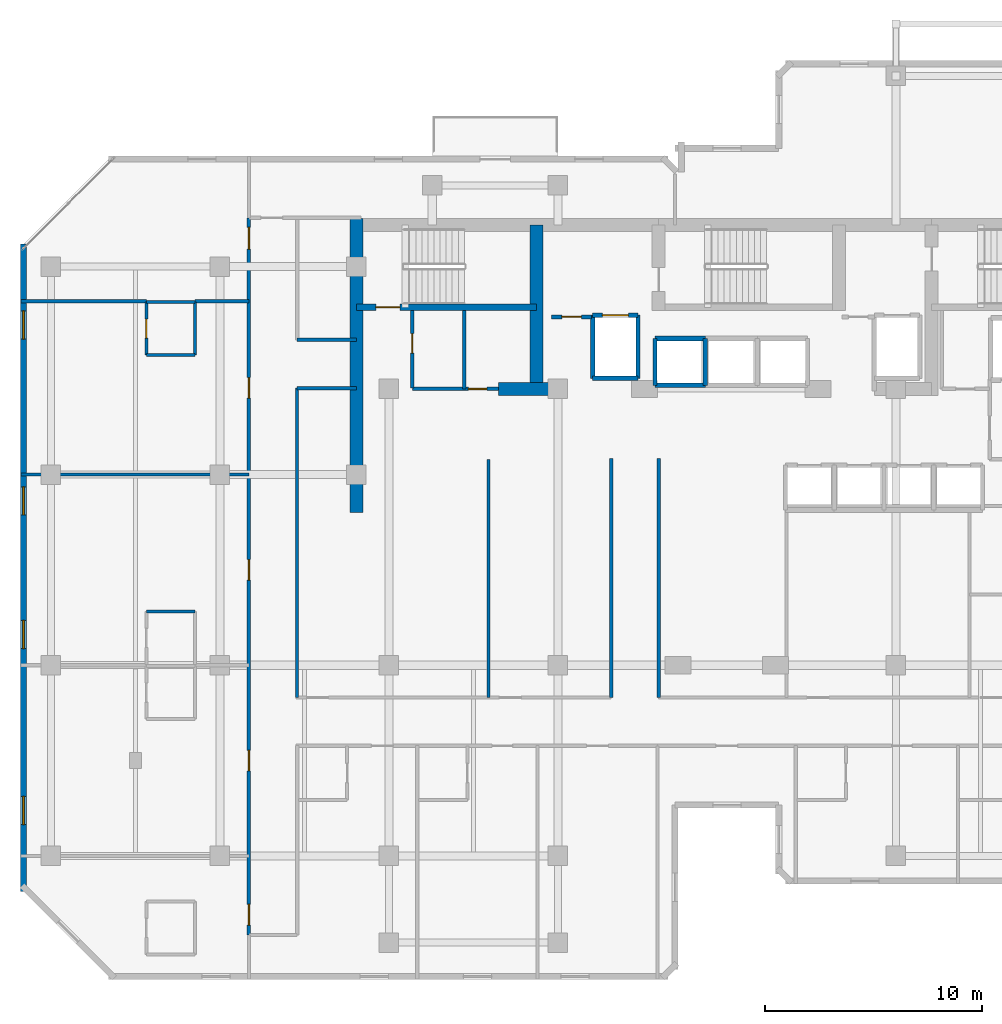
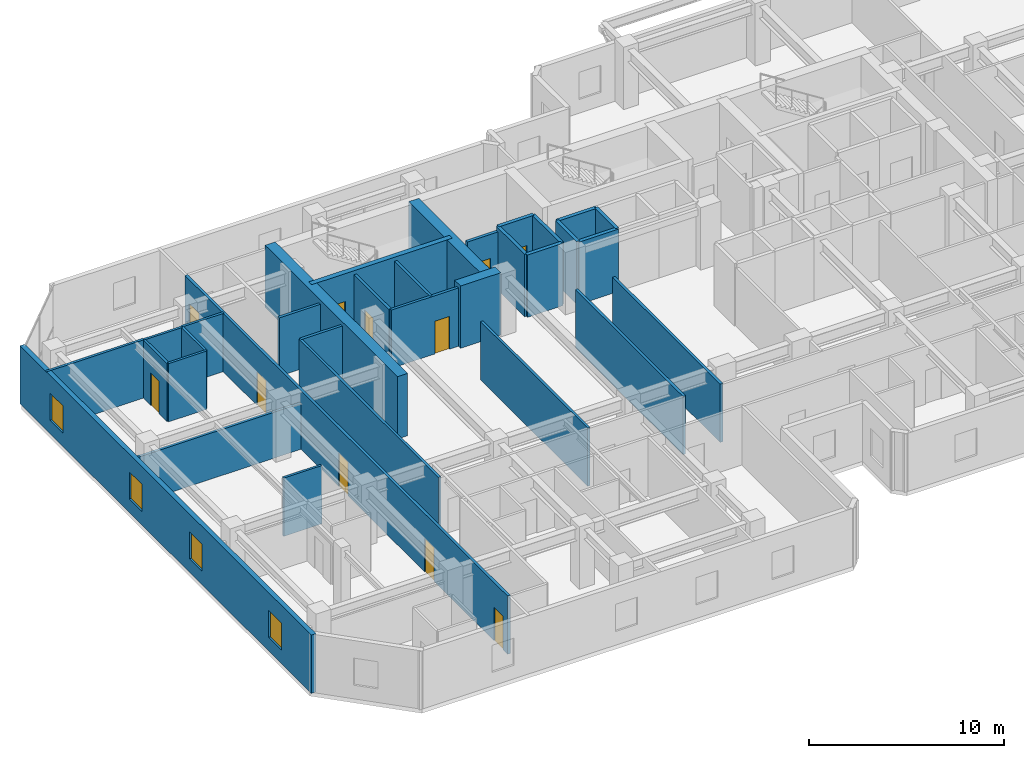
# One storey, part 5 of 10: 32 walls, 11 doors, 4 windows, 15 openings.
"""IFC4 building model written with IfcOpenShell, lengths in metres."""

from ifc_helpers import new_model, si_unit, direction, frame, frame_2d, origin, place, context, subcontext, project, spatial, rectangle, extrude, material, layer, layer_set, type_object, element, fill, save


model = new_model("IFC4")

# Units and contexts
model_context = context("Model", 3, precision=1e-05, world=origin(), true_north=direction((0.0, 1.0)))
body_context = subcontext(model_context, "Body", "Model", "MODEL_VIEW")
ifc_project = project(units=[si_unit("LENGTHUNIT", "METRE"), si_unit("AREAUNIT", "SQUARE_METRE"), si_unit("VOLUMEUNIT", "CUBIC_METRE"), si_unit("PLANEANGLEUNIT", "RADIAN"), si_unit("MASSUNIT", "GRAM", prefix="KILO")], contexts=[model_context])

# Site, building, storey
site_placement = place(None, origin())
site = spatial("IfcSite", under=ifc_project, at=site_placement, CompositionType="ELEMENT")
building_placement = place(site_placement, origin())
building = spatial("IfcBuilding", under=site, at=building_placement, Name="Kestravale Grand Hotel", CompositionType="ELEMENT")
storey_placement = place(building_placement, frame((0.0, 0.0, 216.300048828125)))
storey = spatial("IfcBuildingStorey", under=building, at=storey_placement, Name="L54", CompositionType="ELEMENT", Elevation=216.300048828125)

# Walls
ifc_material_1 = material(Name="Concrete f'c 50 MPa", Category="concrete")
ifc_layer_1 = layer(ifc_material_1, 0.60009765625)
ifc_layer_set_1 = layer_set([ifc_layer_1], Name="EW-CORE-600")
wall_type_1 = type_object("IfcWallType", Name="EW-CORE-600", PredefinedType="SHEAR", material=ifc_layer_set_1)
wall_1_placement = place(storey_placement, frame((21.89990234375, 27.050048828125, 0.0), z_axis=(0.0, 0.0, 1.0), x_axis=(0.0, 1.0, 0.0)))
element("IfcWall", 1, at=wall_1_placement, inside=storey, type_object=wall_type_1, Name="L54 core shear wall W1", PredefinedType="SHEAR", context=body_context, shape_type="SweptSolid", body=[
    extrude(rectangle(XDim=13.570068359375, YDim=0.60009765625, at=frame_2d((6.78515625, 0.0))), origin(), (0.0, 0.0, 1.0), 3.89990234375),
])
wall_2_placement = place(storey_placement, frame((28.449951171875, 32.75, 0.0), z_axis=(0.0, 0.0, 1.0), x_axis=(1.0, 0.0, 0.0)))
element("IfcWall", 2, at=wall_2_placement, inside=storey, type_object=wall_type_1, Name="L54 core shear wall S1", PredefinedType="SHEAR", context=body_context, shape_type="SweptSolid", body=[
    extrude(rectangle(XDim=2.400146484375, YDim=0.60009765625, at=frame_2d((1.2001953125, 0.0))), origin(), (0.0, 0.0, 1.0), 3.89990234375),
])
wall_3_placement = place(storey_placement, frame((30.219970703125, 33.050048828125, 0.0), z_axis=(0.0, 0.0, 1.0), x_axis=(0.0, 1.0, 0.0)))
element("IfcWall", 3, at=wall_3_placement, inside=storey, type_object=wall_type_1, Name="L54 core shear wall X1", PredefinedType="SHEAR", context=body_context, shape_type="SweptSolid", body=[
    extrude(rectangle(XDim=7.27001953125, YDim=0.60009765625, at=frame_2d((3.635009765625, 0.0))), origin(), (0.0, 0.0, 1.0), 3.89990234375),
])

# Wall, openings, windows
ifc_material_2 = material(Name="Precast concrete f'c 45 MPa", Category="concrete")
ifc_layer_2 = layer(ifc_material_2, 0.280029296875)
ifc_layer_set_2 = layer_set([ifc_layer_2], Name="EW-PREC-280")
wall_type_2 = type_object("IfcWallType", Name="EW-PREC-280", PredefinedType="SOLIDWALL", material=ifc_layer_set_2)
wall_4_placement = place(storey_placement, frame((6.5400390625, 39.43994140625, 0.0), z_axis=(0.0, 0.0, 1.0), x_axis=(0.0, -1.0, 0.0)))
wall_4 = element("IfcWall", 4, at=wall_4_placement, inside=storey, type_object=wall_type_2, Name="L54 fluted precast facade wall 19", PredefinedType="SOLIDWALL", context=body_context, shape_type="SweptSolid", body=[
    extrude(rectangle(XDim=29.8798828125, YDim=0.280029296875, at=frame_2d((14.93994140625, 0.0))), origin(), (0.0, 0.0, 1.0), 3.64990234375),
])
opening_1_placement = place(wall_4_placement, frame((3.0849609375, 0.0, 0.85009765625)))
opening_1 = element("IfcOpeningElement", 5, at=opening_1_placement, cuts=wall_4, Name="Opening W-GUEST-1300", PredefinedType="OPENING", context=body_context, shape_type="SweptSolid", body=[
    extrude(rectangle(XDim=1.300048828125, YDim=1.699951171875, at=frame_2d((0.64990234375, 0.85009765625))), frame((0.0, 0.14990234375, 0.0), z_axis=(0.0, -1.0, 0.0), x_axis=(1.0, 0.0, 0.0)), (0.0, 0.0, 1.0), 0.300048828125),
])
opening_2_placement = place(wall_4_placement, frame((11.205078125, 0.0, 0.85009765625)))
opening_2 = element("IfcOpeningElement", 6, at=opening_2_placement, cuts=wall_4, Name="Opening W-GUEST-1300", PredefinedType="OPENING", context=body_context, shape_type="SweptSolid", body=[
    extrude(rectangle(XDim=1.300048828125, YDim=1.699951171875, at=frame_2d((0.64990234375, 0.85009765625))), frame((0.0, 0.14990234375, 0.0), z_axis=(0.0, -1.0, 0.0), x_axis=(1.0, 0.0, 0.0)), (0.0, 0.0, 1.0), 0.300048828125),
])
opening_3_placement = place(wall_4_placement, frame((17.375, 0.0, 0.85009765625)))
opening_3 = element("IfcOpeningElement", 7, at=opening_3_placement, cuts=wall_4, Name="Opening W-GUEST-1300", PredefinedType="OPENING", context=body_context, shape_type="SweptSolid", body=[
    extrude(rectangle(XDim=1.300048828125, YDim=1.699951171875, at=frame_2d((0.64990234375, 0.85009765625))), frame((0.0, 0.14990234375, 0.0), z_axis=(0.0, -1.0, 0.0), x_axis=(1.0, 0.0, 0.0)), (0.0, 0.0, 1.0), 0.300048828125),
])
opening_4_placement = place(wall_4_placement, frame((25.4951171875, 0.0, 0.85009765625)))
opening_4 = element("IfcOpeningElement", 8, at=opening_4_placement, cuts=wall_4, Name="Opening W-GUEST-1300", PredefinedType="OPENING", context=body_context, shape_type="SweptSolid", body=[
    extrude(rectangle(XDim=1.300048828125, YDim=1.699951171875, at=frame_2d((0.64990234375, 0.85009765625))), frame((0.0, 0.14990234375, 0.0), z_axis=(0.0, -1.0, 0.0), x_axis=(1.0, 0.0, 0.0)), (0.0, 0.0, 1.0), 0.300048828125),
])
ifc_material_3 = material(Name="Insulated low-E double glazing in aluminium frame", Category="aluminium")
window_type = type_object("IfcWindowType", Name="W-GUEST-1300", PartitioningType="SINGLE_PANEL", PredefinedType="WINDOW", material=ifc_material_3)
window_1_placement = place(opening_1_placement, origin())
window_1 = element("IfcWindow", 9, at=window_1_placement, inside=storey, type_object=window_type, Name="L54 exterior window 19.1", OverallHeight=1.699951171875, OverallWidth=1.300048828125, PartitioningType="SINGLE_PANEL", PredefinedType="WINDOW", context=body_context, shape_type="SweptSolid", body=[
    extrude(rectangle(XDim=1.300048828125, YDim=1.699951171875, at=frame_2d((0.64990234375, 0.85009765625))), frame((0.0, 0.030029296875, 0.0), z_axis=(0.0, -1.0, 0.0), x_axis=(1.0, 0.0, 0.0)), (0.0, 0.0, 1.0), 0.06005859375),
])
fill(opening_1, window_1)
window_2_placement = place(opening_2_placement, origin())
window_2 = element("IfcWindow", 10, at=window_2_placement, inside=storey, type_object=window_type, Name="L54 exterior window 19.2", OverallHeight=1.699951171875, OverallWidth=1.300048828125, PartitioningType="SINGLE_PANEL", PredefinedType="WINDOW", context=body_context, shape_type="SweptSolid", body=[
    extrude(rectangle(XDim=1.300048828125, YDim=1.699951171875, at=frame_2d((0.64990234375, 0.85009765625))), frame((0.0, 0.030029296875, 0.0), z_axis=(0.0, -1.0, 0.0), x_axis=(1.0, 0.0, 0.0)), (0.0, 0.0, 1.0), 0.06005859375),
])
fill(opening_2, window_2)
window_3_placement = place(opening_3_placement, origin())
window_3 = element("IfcWindow", 11, at=window_3_placement, inside=storey, type_object=window_type, Name="L54 exterior window 19.3", OverallHeight=1.699951171875, OverallWidth=1.300048828125, PartitioningType="SINGLE_PANEL", PredefinedType="WINDOW", context=body_context, shape_type="SweptSolid", body=[
    extrude(rectangle(XDim=1.300048828125, YDim=1.699951171875, at=frame_2d((0.64990234375, 0.85009765625))), frame((0.0, 0.030029296875, 0.0), z_axis=(0.0, -1.0, 0.0), x_axis=(1.0, 0.0, 0.0)), (0.0, 0.0, 1.0), 0.06005859375),
])
fill(opening_3, window_3)
window_4_placement = place(opening_4_placement, origin())
window_4 = element("IfcWindow", 12, at=window_4_placement, inside=storey, type_object=window_type, Name="L54 exterior window 19.4", OverallHeight=1.699951171875, OverallWidth=1.300048828125, PartitioningType="SINGLE_PANEL", PredefinedType="WINDOW", context=body_context, shape_type="SweptSolid", body=[
    extrude(rectangle(XDim=1.300048828125, YDim=1.699951171875, at=frame_2d((0.64990234375, 0.85009765625))), frame((0.0, 0.030029296875, 0.0), z_axis=(0.0, -1.0, 0.0), x_axis=(1.0, 0.0, 0.0)), (0.0, 0.0, 1.0), 0.06005859375),
])
fill(opening_4, window_4)

# Wall, opening, door
ifc_material_4 = material(Name="Concrete f'c 45 MPa", Category="concrete")
ifc_layer_3 = layer(ifc_material_4, 0.300048828125)
ifc_layer_set_3 = layer_set([ifc_layer_3], Name="EW-STAIR-300")
wall_type_3 = type_object("IfcWallType", Name="EW-STAIR-300", PredefinedType="SHEAR", material=ifc_layer_set_3)
wall_5_placement = place(storey_placement, frame((21.89990234375, 36.52001953125, 0.0), z_axis=(0.0, 0.0, 1.0), x_axis=(1.0, 0.0, 0.0)))
wall_5 = element("IfcWall", 13, at=wall_5_placement, inside=storey, type_object=wall_type_3, Name="L54 stair enclosure shear wall SST1", PredefinedType="SHEAR", context=body_context, shape_type="SweptSolid", body=[
    extrude(rectangle(XDim=8.320068359375, YDim=0.300048828125, at=frame_2d((4.16015625, 0.0))), origin(), (0.0, 0.0, 1.0), 3.89990234375),
])
opening_5_placement = place(wall_5_placement, frame((0.89990234375, 0.0, 0.0)))
opening_5 = element("IfcOpeningElement", 14, at=opening_5_placement, cuts=wall_5, Name="Opening D-ST-1100", PredefinedType="OPENING", context=body_context, shape_type="SweptSolid", body=[
    extrude(rectangle(XDim=1.10009765625, YDim=2.14990234375, at=frame_2d((0.550048828125, 1.074951171875))), frame((0.0, 0.159912109375, 0.0), z_axis=(0.0, -1.0, 0.0), x_axis=(1.0, 0.0, 0.0)), (0.0, 0.0, 1.0), 0.320068359375),
])
ifc_material_5 = material(Name="Galvanised 90-minute fire-rated steel stair door", Category="steel")
door_type_1 = type_object("IfcDoorType", Name="D-ST-1100", OperationType="NOTDEFINED", PredefinedType="DOOR", material=ifc_material_5)
door_1_placement = place(opening_5_placement, origin())
door_1 = element("IfcDoor", 15, at=door_1_placement, inside=storey, type_object=door_type_1, Name="L54 Stair ST-1 fire door", OperationType="SINGLE_SWING_RIGHT", OverallHeight=2.14990234375, OverallWidth=1.10009765625, PredefinedType="DOOR", context=body_context, shape_type="SweptSolid", body=[
    extrude(rectangle(XDim=1.10009765625, YDim=2.14990234375, at=frame_2d((0.550048828125, 1.074951171875))), frame((0.0, 0.02490234375, 0.0), z_axis=(0.0, -1.0, 0.0), x_axis=(1.0, 0.0, 0.0)), (0.0, 0.0, 1.0), 0.050048828125),
])
fill(opening_5, door_1)

ifc_material_6 = material(Name="Acoustic fire-rated gypsum board partition", Category="other")
ifc_layer_4 = layer(ifc_material_6, 0.159912109375)
ifc_layer_set_4 = layer_set([ifc_layer_4], Name="IW-CORR-160")
wall_type_4 = type_object("IfcWallType", Name="IW-CORR-160", PredefinedType="PARTITIONING", material=ifc_layer_set_4)
wall_6_placement = place(storey_placement, frame((24.47998046875, 32.800048828125, 0.0), z_axis=(0.0, 0.0, 1.0), x_axis=(0.0, 1.0, 0.0)))
wall_6 = element("IfcWall", 16, at=wall_6_placement, inside=storey, type_object=wall_type_4, Name="L54 west core vestibule wall", PredefinedType="PARTITIONING", context=body_context, shape_type="SweptSolid", body=[
    extrude(rectangle(XDim=3.570068359375, YDim=0.159912109375, at=frame_2d((1.78515625, 0.0))), origin(), (0.0, 0.0, 1.0), 3.64990234375),
])
opening_6_placement = place(wall_6_placement, frame((1.603515625, 0.0, 0.0)))
opening_6 = element("IfcOpeningElement", 17, at=opening_6_placement, cuts=wall_6, Name="Opening D-SH-900", PredefinedType="OPENING", context=body_context, shape_type="SweptSolid", body=[
    extrude(rectangle(XDim=0.89990234375, YDim=2.10009765625, at=frame_2d((0.449951171875, 1.050048828125))), frame((0.0, 0.08984375, 0.0), z_axis=(0.0, -1.0, 0.0), x_axis=(1.0, 0.0, 0.0)), (0.0, 0.0, 1.0), 0.179931640625),
])
ifc_material_7 = material(Name="Galvanised 90-minute shaft and service fire door", Category="steel")
door_type_2 = type_object("IfcDoorType", Name="D-SH-900", OperationType="NOTDEFINED", PredefinedType="DOOR", material=ifc_material_7)
door_2_placement = place(opening_6_placement, origin())
door_2 = element("IfcDoor", 18, at=door_2_placement, inside=storey, type_object=door_type_2, Name="D-L54-HK", OperationType="SINGLE_SWING_RIGHT", OverallHeight=2.10009765625, OverallWidth=0.89990234375, PredefinedType="DOOR", context=body_context, shape_type="SweptSolid", body=[
    extrude(rectangle(XDim=0.89990234375, YDim=2.10009765625, at=frame_2d((0.449951171875, 1.050048828125))), frame((0.0, 0.02490234375, 0.0), z_axis=(0.0, -1.0, 0.0), x_axis=(1.0, 0.0, 0.0)), (0.0, 0.0, 1.0), 0.050048828125),
])
fill(opening_6, door_2)

wall_7_placement = place(storey_placement, frame((24.47998046875, 32.75, 0.0), z_axis=(0.0, 0.0, 1.0), x_axis=(1.0, 0.0, 0.0)))
wall_7 = element("IfcWall", 19, at=wall_7_placement, inside=storey, type_object=wall_type_4, Name="W-L54-CWS", PredefinedType="PARTITIONING", context=body_context, shape_type="SweptSolid", body=[
    extrude(rectangle(XDim=3.969970703125, YDim=0.159912109375, at=frame_2d((1.98486328125, 0.0))), origin(), (0.0, 0.0, 1.0), 3.64990234375),
])
opening_7_placement = place(wall_7_placement, frame((2.5849609375, 0.0, 0.0)))
opening_7 = element("IfcOpeningElement", 20, at=opening_7_placement, cuts=wall_7, Name="Opening D-SH-860", PredefinedType="OPENING", context=body_context, shape_type="SweptSolid", body=[
    extrude(rectangle(XDim=0.860107421875, YDim=2.050048828125, at=frame_2d((0.43017578125, 1.02490234375))), frame((0.0, 0.08984375, 0.0), z_axis=(0.0, -1.0, 0.0), x_axis=(1.0, 0.0, 0.0)), (0.0, 0.0, 1.0), 0.179931640625),
])
ifc_material_8 = material(Name="Galvanised 90-minute riser fire door", Category="steel")
door_type_3 = type_object("IfcDoorType", Name="D-SH-860", OperationType="NOTDEFINED", PredefinedType="DOOR", material=ifc_material_8)
door_3_placement = place(opening_7_placement, origin())
door_3 = element("IfcDoor", 21, at=door_3_placement, inside=storey, type_object=door_type_3, Name="D-L54-ELEC", OperationType="SINGLE_SWING_RIGHT", OverallHeight=2.050048828125, OverallWidth=0.860107421875, PredefinedType="DOOR", context=body_context, shape_type="SweptSolid", body=[
    extrude(rectangle(XDim=0.860107421875, YDim=2.050048828125, at=frame_2d((0.43017578125, 1.02490234375))), frame((0.0, 0.02490234375, 0.0), z_axis=(0.0, -1.0, 0.0), x_axis=(1.0, 0.0, 0.0)), (0.0, 0.0, 1.0), 0.050048828125),
])
fill(opening_7, door_3)

# Walls
for number, where, z_axis, x_axis, name in (
    (22, (33.64990234375, 18.510009765625, 0.0), (0.0, 0.0, 1.0), (0.0, 1.0, 0.0), "W-L54-TRUNK-W"),
    (23, (35.85009765625, 18.510009765625, 0.0), (0.0, 0.0, 1.0), (0.0, 1.0, 0.0), "W-L54-TRUNK-E"),
):
    element("IfcWall", number, at=place(storey_placement, frame(where, z_axis=z_axis, x_axis=x_axis)), inside=storey, type_object=wall_type_4, Name=name, PredefinedType="PARTITIONING", context=body_context, shape_type="SweptSolid", body=[
        extrude(rectangle(XDim=11.0400390625, YDim=0.159912109375, at=frame_2d((5.52001953125, 0.0))), origin(), (0.0, 0.0, 1.0), 3.64990234375),
    ])

# Wall, openings, doors
wall_8_placement = place(storey_placement, frame((16.93994140625, 7.550048828125, 0.0), z_axis=(0.0, 0.0, 1.0), x_axis=(0.0, 1.0, 0.0)))
wall_8 = element("IfcWall", 24, at=wall_8_placement, inside=storey, type_object=wall_type_4, Name="W-L54-SW-W", PredefinedType="PARTITIONING", context=body_context, shape_type="SweptSolid", body=[
    extrude(rectangle(XDim=33.099853515625, YDim=0.159912109375, at=frame_2d((16.5498046875, 0.0))), origin(), (0.0, 0.0, 1.0), 3.64990234375),
])
opening_8_placement = place(wall_8_placement, frame((0.4599609375, 0.0, 0.0)))
opening_8 = element("IfcOpeningElement", 25, at=opening_8_placement, cuts=wall_8, Name="Opening D-GUEST-950", PredefinedType="OPENING", context=body_context, shape_type="SweptSolid", body=[
    extrude(rectangle(XDim=0.949951171875, YDim=2.10009765625, at=frame_2d((0.47509765625, 1.050048828125))), frame((0.0, 0.08984375, 0.0), z_axis=(0.0, -1.0, 0.0), x_axis=(1.0, 0.0, 0.0)), (0.0, 0.0, 1.0), 0.179931640625),
])
opening_9_placement = place(wall_8_placement, frame((7.574951171875, 0.0, 0.0)))
opening_9 = element("IfcOpeningElement", 26, at=opening_9_placement, cuts=wall_8, Name="Opening D-GUEST-950", PredefinedType="OPENING", context=body_context, shape_type="SweptSolid", body=[
    extrude(rectangle(XDim=0.949951171875, YDim=2.10009765625, at=frame_2d((0.47509765625, 1.050048828125))), frame((0.0, 0.08984375, 0.0), z_axis=(0.0, -1.0, 0.0), x_axis=(1.0, 0.0, 0.0)), (0.0, 0.0, 1.0), 0.179931640625),
])
opening_10_placement = place(wall_8_placement, frame((16.375, 0.0, 0.0)))
opening_10 = element("IfcOpeningElement", 27, at=opening_10_placement, cuts=wall_8, Name="Opening D-GUEST-950", PredefinedType="OPENING", context=body_context, shape_type="SweptSolid", body=[
    extrude(rectangle(XDim=0.949951171875, YDim=2.10009765625, at=frame_2d((0.47509765625, 1.050048828125))), frame((0.0, 0.08984375, 0.0), z_axis=(0.0, -1.0, 0.0), x_axis=(1.0, 0.0, 0.0)), (0.0, 0.0, 1.0), 0.179931640625),
])
opening_11_placement = place(wall_8_placement, frame((24.77490234375, 0.0, 0.0)))
opening_11 = element("IfcOpeningElement", 28, at=opening_11_placement, cuts=wall_8, Name="Opening D-GUEST-950", PredefinedType="OPENING", context=body_context, shape_type="SweptSolid", body=[
    extrude(rectangle(XDim=0.949951171875, YDim=2.10009765625, at=frame_2d((0.47509765625, 1.050048828125))), frame((0.0, 0.08984375, 0.0), z_axis=(0.0, -1.0, 0.0), x_axis=(1.0, 0.0, 0.0)), (0.0, 0.0, 1.0), 0.179931640625),
])
opening_12_placement = place(wall_8_placement, frame((31.659912109375, 0.0, 0.0)))
opening_12 = element("IfcOpeningElement", 29, at=opening_12_placement, cuts=wall_8, Name="Opening D-GUEST-1000", PredefinedType="OPENING", context=body_context, shape_type="SweptSolid", body=[
    extrude(rectangle(XDim=1.0, YDim=2.14990234375, at=frame_2d((0.5, 1.074951171875))), frame((0.0, 0.08984375, 0.0), z_axis=(0.0, -1.0, 0.0), x_axis=(1.0, 0.0, 0.0)), (0.0, 0.0, 1.0), 0.179931640625),
])
ifc_material_9 = material(Name="Accessible walnut veneer hotel entrance fire door", Category="wood")
door_type_4 = type_object("IfcDoorType", Name="D-GUEST-1000", OperationType="NOTDEFINED", PredefinedType="DOOR", material=ifc_material_9)
door_4_placement = place(opening_12_placement, origin())
door_4 = element("IfcDoor", 30, at=door_4_placement, inside=storey, type_object=door_type_4, Name="D-L54-AMWW", OperationType="SINGLE_SWING_LEFT", OverallHeight=2.14990234375, OverallWidth=1.0, PredefinedType="DOOR", context=body_context, shape_type="SweptSolid", body=[
    extrude(rectangle(XDim=1.0, YDim=2.14990234375, at=frame_2d((0.5, 1.074951171875))), frame((0.0, 0.02490234375, 0.0), z_axis=(0.0, -1.0, 0.0), x_axis=(1.0, 0.0, 0.0)), (0.0, 0.0, 1.0), 0.050048828125),
])
fill(opening_12, door_4)
ifc_material_10 = material(Name="Walnut veneer hotel guestroom entrance fire door", Category="wood")
door_type_5 = type_object("IfcDoorType", Name="D-GUEST-950", OperationType="NOTDEFINED", PredefinedType="DOOR", material=ifc_material_10)
door_5_placement = place(opening_8_placement, origin())
door_5 = element("IfcDoor", 31, at=door_5_placement, inside=storey, type_object=door_type_5, Name="D-L54-U05-ENT", OperationType="SINGLE_SWING_RIGHT", OverallHeight=2.10009765625, OverallWidth=0.949951171875, PredefinedType="DOOR", context=body_context, shape_type="SweptSolid", body=[
    extrude(rectangle(XDim=0.949951171875, YDim=2.10009765625, at=frame_2d((0.47509765625, 1.050048828125))), frame((0.0, 0.02490234375, 0.0), z_axis=(0.0, -1.0, 0.0), x_axis=(1.0, 0.0, 0.0)), (0.0, 0.0, 1.0), 0.050048828125),
])
fill(opening_8, door_5)
door_6_placement = place(opening_9_placement, origin())
door_6 = element("IfcDoor", 32, at=door_6_placement, inside=storey, type_object=door_type_5, Name="D-L54-U06-ENT", OperationType="SINGLE_SWING_RIGHT", OverallHeight=2.10009765625, OverallWidth=0.949951171875, PredefinedType="DOOR", context=body_context, shape_type="SweptSolid", body=[
    extrude(rectangle(XDim=0.949951171875, YDim=2.10009765625, at=frame_2d((0.47509765625, 1.050048828125))), frame((0.0, 0.02490234375, 0.0), z_axis=(0.0, -1.0, 0.0), x_axis=(1.0, 0.0, 0.0)), (0.0, 0.0, 1.0), 0.050048828125),
])
fill(opening_9, door_6)
door_7_placement = place(opening_10_placement, origin())
door_7 = element("IfcDoor", 33, at=door_7_placement, inside=storey, type_object=door_type_5, Name="D-L54-U07-ENT", OperationType="SINGLE_SWING_RIGHT", OverallHeight=2.10009765625, OverallWidth=0.949951171875, PredefinedType="DOOR", context=body_context, shape_type="SweptSolid", body=[
    extrude(rectangle(XDim=0.949951171875, YDim=2.10009765625, at=frame_2d((0.47509765625, 1.050048828125))), frame((0.0, 0.02490234375, 0.0), z_axis=(0.0, -1.0, 0.0), x_axis=(1.0, 0.0, 0.0)), (0.0, 0.0, 1.0), 0.050048828125),
])
fill(opening_10, door_7)
door_8_placement = place(opening_11_placement, origin())
door_8 = element("IfcDoor", 34, at=door_8_placement, inside=storey, type_object=door_type_5, Name="D-L54-U08-ENT", OperationType="SINGLE_SWING_RIGHT", OverallHeight=2.10009765625, OverallWidth=0.949951171875, PredefinedType="DOOR", context=body_context, shape_type="SweptSolid", body=[
    extrude(rectangle(XDim=0.949951171875, YDim=2.10009765625, at=frame_2d((0.47509765625, 1.050048828125))), frame((0.0, 0.02490234375, 0.0), z_axis=(0.0, -1.0, 0.0), x_axis=(1.0, 0.0, 0.0)), (0.0, 0.0, 1.0), 0.050048828125),
])
fill(opening_11, door_8)

# Walls
for number, where, z_axis, x_axis, name in (
    (35, (19.159912109375, 35.02001953125, 0.0), (0.0, 0.0, 1.0), (1.0, 0.0, 0.0), "W-L54-SW-CN"),
    (36, (19.159912109375, 32.780029296875, 0.0), (0.0, 0.0, 1.0), (1.0, 0.0, 0.0), "W-L54-SW-CS"),
):
    element("IfcWall", number, at=place(storey_placement, frame(where, z_axis=z_axis, x_axis=x_axis)), inside=storey, type_object=wall_type_4, Name=name, PredefinedType="PARTITIONING", context=body_context, shape_type="SweptSolid", body=[
        extrude(rectangle(XDim=2.739990234375, YDim=0.159912109375, at=frame_2d((1.3701171875, 0.0))), origin(), (0.0, 0.0, 1.0), 3.64990234375),
    ])

# Wall, opening, door
ifc_material_11 = material(Name="Fire-rated gypsum board on steel studs with mineral wool", Category="steel")
ifc_layer_5 = layer(ifc_material_11, 0.179931640625)
ifc_layer_set_5 = layer_set([ifc_layer_5], Name="IW-FSAE-180")
wall_type_5 = type_object("IfcWallType", Name="IW-FSAE-180", PredefinedType="PARTITIONING", material=ifc_layer_set_5)
wall_9_placement = place(storey_placement, frame((30.89990234375, 36.080078125, 0.0), z_axis=(0.0, 0.0, 1.0), x_axis=(1.0, 0.0, 0.0)))
wall_9 = element("IfcWall", 37, at=wall_9_placement, inside=storey, type_object=wall_type_5, Name="L54 FSAE Lobby 1 smoke barrier", PredefinedType="PARTITIONING", context=body_context, shape_type="SweptSolid", body=[
    extrude(rectangle(XDim=1.85009765625, YDim=0.179931640625, at=frame_2d((0.925048828125, 0.0))), origin(), (0.0, 0.0, 1.0), 3.64990234375),
])
opening_13_placement = place(wall_9_placement, frame((0.47998046875, 0.0, 0.0)))
opening_13 = element("IfcOpeningElement", 38, at=opening_13_placement, cuts=wall_9, Name="Opening D-FSAE-1000", PredefinedType="OPENING", context=body_context, shape_type="SweptSolid", body=[
    extrude(rectangle(XDim=0.89990234375, YDim=2.14990234375, at=frame_2d((0.449951171875, 1.074951171875))), frame((0.0, 0.099853515625, 0.0), z_axis=(0.0, -1.0, 0.0), x_axis=(1.0, 0.0, 0.0)), (0.0, 0.0, 1.0), 0.199951171875),
])
ifc_material_12 = material(Name="Smoke-gasketed FSAE lobby fire door", Category="steel")
door_type_6 = type_object("IfcDoorType", Name="D-FSAE-1000", OperationType="NOTDEFINED", PredefinedType="DOOR", material=ifc_material_12)
door_9_placement = place(opening_13_placement, origin())
door_9 = element("IfcDoor", 39, at=door_9_placement, inside=storey, type_object=door_type_6, Name="L54 FSAE Lobby 1 fire door", OperationType="SINGLE_SWING_RIGHT", OverallHeight=2.14990234375, OverallWidth=0.89990234375, PredefinedType="DOOR", context=body_context, shape_type="SweptSolid", body=[
    extrude(rectangle(XDim=0.89990234375, YDim=2.14990234375, at=frame_2d((0.449951171875, 1.074951171875))), frame((0.0, 0.02490234375, 0.0), z_axis=(0.0, -1.0, 0.0), x_axis=(1.0, 0.0, 0.0)), (0.0, 0.0, 1.0), 0.050048828125),
])
fill(opening_13, door_9)

# Wall
ifc_material_13 = material(Name="Moisture-resistant tile-backer plumbing chase wall", Category="other")
ifc_layer_6 = layer(ifc_material_13, 0.139892578125)
ifc_layer_set_6 = layer_set([ifc_layer_6], Name="IW-PLB-140")
wall_type_6 = type_object("IfcWallType", Name="IW-PLB-140", PredefinedType="PLUMBINGWALL", material=ifc_layer_set_6)
wall_10_placement = place(storey_placement, frame((12.199951171875, 22.489990234375, 0.0), z_axis=(0.0, 0.0, 1.0), x_axis=(1.0, 0.0, 0.0)))
element("IfcWall", 40, at=wall_10_placement, inside=storey, type_object=wall_type_6, Name="W-L54-U07-BN", PredefinedType="PLUMBINGWALL", context=body_context, shape_type="SweptSolid", body=[
    extrude(rectangle(XDim=2.25, YDim=0.139892578125, at=frame_2d((1.125, 0.0))), origin(), (0.0, 0.0, 1.0), 3.64990234375),
])

# Wall, opening, door
wall_11_placement = place(storey_placement, frame((12.199951171875, 34.31005859375, 0.0), z_axis=(0.0, 0.0, 1.0), x_axis=(0.0, 1.0, 0.0)))
wall_11 = element("IfcWall", 41, at=wall_11_placement, inside=storey, type_object=wall_type_6, Name="W-L54-U08-BW", PredefinedType="PLUMBINGWALL", context=body_context, shape_type="SweptSolid", body=[
    extrude(rectangle(XDim=2.449951171875, YDim=0.139892578125, at=frame_2d((1.22509765625, 0.0))), origin(), (0.0, 0.0, 1.0), 3.64990234375),
])
opening_14_placement = place(wall_11_placement, frame((0.784912109375, 0.0, 0.0)))
opening_14 = element("IfcOpeningElement", 42, at=opening_14_placement, cuts=wall_11, Name="Opening D-BATH-880", PredefinedType="OPENING", context=body_context, shape_type="SweptSolid", body=[
    extrude(rectangle(XDim=0.8798828125, YDim=2.050048828125, at=frame_2d((0.43994140625, 1.02490234375))), frame((0.0, 0.079833984375, 0.0), z_axis=(0.0, -1.0, 0.0), x_axis=(1.0, 0.0, 0.0)), (0.0, 0.0, 1.0), 0.159912109375),
])
ifc_material_14 = material(Name="Moisture-sealed walnut en-suite bathroom door", Category="wood")
door_type_7 = type_object("IfcDoorType", Name="D-BATH-880", OperationType="NOTDEFINED", PredefinedType="DOOR", material=ifc_material_14)
door_10_placement = place(opening_14_placement, origin())
door_10 = element("IfcDoor", 43, at=door_10_placement, inside=storey, type_object=door_type_7, Name="D-L54-U08-BATH", OperationType="SINGLE_SWING_LEFT", OverallHeight=2.050048828125, OverallWidth=0.8798828125, PredefinedType="DOOR", context=body_context, shape_type="SweptSolid", body=[
    extrude(rectangle(XDim=0.8798828125, YDim=2.050048828125, at=frame_2d((0.43994140625, 1.02490234375))), frame((0.0, 0.02490234375, 0.0), z_axis=(0.0, -1.0, 0.0), x_axis=(1.0, 0.0, 0.0)), (0.0, 0.0, 1.0), 0.050048828125),
])
fill(opening_14, door_10)

# Walls
wall_12_placement = place(storey_placement, frame((14.449951171875, 34.31005859375, 0.0), z_axis=(0.0, 0.0, 1.0), x_axis=(0.0, 1.0, 0.0)))
element("IfcWall", 44, at=wall_12_placement, inside=storey, type_object=wall_type_6, Name="W-L54-U08-BE", PredefinedType="PLUMBINGWALL", context=body_context, shape_type="SweptSolid", body=[
    extrude(rectangle(XDim=2.449951171875, YDim=0.139892578125, at=frame_2d((1.22509765625, 0.0))), origin(), (0.0, 0.0, 1.0), 3.64990234375),
])
for number, where, z_axis, x_axis, name in (
    (45, (12.199951171875, 34.31005859375, 0.0), (0.0, 0.0, 1.0), (1.0, 0.0, 0.0), "W-L54-U08-BS"),
    (46, (12.199951171875, 36.760009765625, 0.0), (0.0, 0.0, 1.0), (1.0, 0.0, 0.0), "W-L54-U08-BN"),
):
    element("IfcWall", number, at=place(storey_placement, frame(where, z_axis=z_axis, x_axis=x_axis)), inside=storey, type_object=wall_type_6, Name=name, PredefinedType="PLUMBINGWALL", context=body_context, shape_type="SweptSolid", body=[
        extrude(rectangle(XDim=2.25, YDim=0.139892578125, at=frame_2d((1.125, 0.0))), origin(), (0.0, 0.0, 1.0), 3.64990234375),
    ])
ifc_material_15 = material(Name="Concrete f'c 45 MPa", Category="concrete")
ifc_layer_7 = layer(ifc_material_15, 0.199951171875)
ifc_layer_set_7 = layer_set([ifc_layer_7], Name="IW-SHAFT-200")
wall_type_7 = type_object("IfcWallType", Name="IW-SHAFT-200", PredefinedType="SHEAR", material=ifc_layer_set_7)
for number, where, z_axis, x_axis, name in (
    (47, (35.679931640625, 32.919921875, 0.0), (0.0, 0.0, 1.0), (0.0, 1.0, 0.0), "L54 PL-X1 west shaft wall"),
    (48, (38.0, 32.919921875, 0.0), (0.0, 0.0, 1.0), (0.0, 1.0, 0.0), "L54 PL-X2 west shaft wall"),
):
    element("IfcWall", number, at=place(storey_placement, frame(where, z_axis=z_axis, x_axis=x_axis)), inside=storey, type_object=wall_type_7, Name=name, PredefinedType="SHEAR", context=body_context, shape_type="SweptSolid", body=[
        extrude(rectangle(XDim=2.16015625, YDim=0.199951171875, at=frame_2d((1.080078125, 0.0))), origin(), (0.0, 0.0, 1.0), 3.89990234375),
    ])
for number, where, z_axis, x_axis, name in (
    (49, (32.804931640625, 33.2451171875, 0.0), (0.0, 0.0, 1.0), (0.0, 1.0, 0.0), "L54 FL-1 west shaft wall"),
    (50, (34.89501953125, 33.2451171875, 0.0), (0.0, 0.0, 1.0), (0.0, 1.0, 0.0), "L54 FL-1 east shaft wall"),
):
    element("IfcWall", number, at=place(storey_placement, frame(where, z_axis=z_axis, x_axis=x_axis)), inside=storey, type_object=wall_type_7, Name=name, PredefinedType="SHEAR", context=body_context, shape_type="SweptSolid", body=[
        extrude(rectangle(XDim=2.909912109375, YDim=0.199951171875, at=frame_2d((1.455078125, 0.0))), origin(), (0.0, 0.0, 1.0), 3.89990234375),
    ])
ifc_material_16 = material(Name="Concrete f'c 45 MPa", Category="concrete")
ifc_layer_8 = layer(ifc_material_16, 0.219970703125)
ifc_layer_set_8 = layer_set([ifc_layer_8], Name="IW-SHAFT-220")
wall_type_8 = type_object("IfcWallType", Name="IW-SHAFT-220", PredefinedType="SHEAR", material=ifc_layer_set_8)
for number, where, z_axis, x_axis, name in (
    (51, (35.679931640625, 35.080078125, 0.0), (0.0, 0.0, 1.0), (1.0, 0.0, 0.0), "L54 PL-X1 north shaft wall"),
    (52, (35.679931640625, 32.919921875, 0.0), (0.0, 0.0, 1.0), (1.0, 0.0, 0.0), "L54 PL-X1 south shaft wall"),
):
    element("IfcWall", number, at=place(storey_placement, frame(where, z_axis=z_axis, x_axis=x_axis)), inside=storey, type_object=wall_type_8, Name=name, PredefinedType="SHEAR", context=body_context, shape_type="SweptSolid", body=[
        extrude(rectangle(XDim=2.320068359375, YDim=0.219970703125, at=frame_2d((1.16015625, 0.0))), origin(), (0.0, 0.0, 1.0), 3.89990234375),
    ])

# Wall, opening, door
wall_13_placement = place(storey_placement, frame((32.804931640625, 36.155029296875, 0.0), z_axis=(0.0, 0.0, 1.0), x_axis=(1.0, 0.0, 0.0)))
wall_13 = element("IfcWall", 53, at=wall_13_placement, inside=storey, type_object=wall_type_8, Name="L54 FL-1 north shaft wall", PredefinedType="SHEAR", context=body_context, shape_type="SweptSolid", body=[
    extrude(rectangle(XDim=2.090087890625, YDim=0.219970703125, at=frame_2d((1.044921875, 0.0))), origin(), (0.0, 0.0, 1.0), 3.89990234375),
])
opening_15_placement = place(wall_13_placement, frame((0.445068359375, 0.0, 0.0)))
opening_15 = element("IfcOpeningElement", 54, at=opening_15_placement, cuts=wall_13, Name="Opening LD-FSAE-1200", PredefinedType="OPENING", context=body_context, shape_type="SweptSolid", body=[
    extrude(rectangle(XDim=1.199951171875, YDim=2.14990234375, at=frame_2d((0.60009765625, 1.074951171875))), frame((0.0, 0.119873046875, 0.0), z_axis=(0.0, -1.0, 0.0), x_axis=(1.0, 0.0, 0.0)), (0.0, 0.0, 1.0), 0.239990234375),
])
ifc_material_17 = material(Name="Stainless fire-service sliding elevator landing door", Category="steel")
door_type_8 = type_object("IfcDoorType", Name="LD-FSAE-1200", OperationType="NOTDEFINED", PredefinedType="DOOR", material=ifc_material_17)
door_11_placement = place(opening_15_placement, origin())
door_11 = element("IfcDoor", 55, at=door_11_placement, inside=storey, type_object=door_type_8, Name="L54 FL-1 elevator landing sliding door", OperationType="DOUBLE_DOOR_SLIDING", OverallHeight=2.14990234375, OverallWidth=1.199951171875, PredefinedType="DOOR", context=body_context, shape_type="SweptSolid", body=[
    extrude(rectangle(XDim=1.199951171875, YDim=2.14990234375, at=frame_2d((0.60009765625, 1.074951171875))), frame((0.0, 0.02490234375, 0.0), z_axis=(0.0, -1.0, 0.0), x_axis=(1.0, 0.0, 0.0)), (0.0, 0.0, 1.0), 0.050048828125),
])
fill(opening_15, door_11)

# Walls
wall_14_placement = place(storey_placement, frame((32.804931640625, 33.2451171875, 0.0), z_axis=(0.0, 0.0, 1.0), x_axis=(1.0, 0.0, 0.0)))
element("IfcWall", 56, at=wall_14_placement, inside=storey, type_object=wall_type_8, Name="L54 FL-1 south shaft wall", PredefinedType="SHEAR", context=body_context, shape_type="SweptSolid", body=[
    extrude(rectangle(XDim=2.090087890625, YDim=0.219970703125, at=frame_2d((1.044921875, 0.0))), origin(), (0.0, 0.0, 1.0), 3.89990234375),
])
ifc_material_18 = material(Name="Double-stud STC 52 acoustic demising partition", Category="other")
ifc_layer_9 = layer(ifc_material_18, 0.14990234375)
ifc_layer_set_9 = layer_set([ifc_layer_9], Name="IW-UNIT-150")
wall_type_9 = type_object("IfcWallType", Name="IW-UNIT-150", PredefinedType="PARTITIONING", material=ifc_layer_set_9)
wall_15_placement = place(storey_placement, frame((26.8798828125, 32.75, 0.0), z_axis=(0.0, 0.0, 1.0), x_axis=(0.0, 1.0, 0.0)))
element("IfcWall", 57, at=wall_15_placement, inside=storey, type_object=wall_type_9, Name="W-L54-CC0-1", PredefinedType="PARTITIONING", context=body_context, shape_type="SweptSolid", body=[
    extrude(rectangle(XDim=3.6201171875, YDim=0.14990234375, at=frame_2d((1.81005859375, 0.0))), origin(), (0.0, 0.0, 1.0), 3.64990234375),
])
wall_16_placement = place(storey_placement, frame((19.159912109375, 18.510009765625, 0.0), z_axis=(0.0, 0.0, 1.0), x_axis=(0.0, 1.0, 0.0)))
element("IfcWall", 58, at=wall_16_placement, inside=storey, type_object=wall_type_9, Name="W-L54-RCLW-W", PredefinedType="PARTITIONING", context=body_context, shape_type="SweptSolid", body=[
    extrude(rectangle(XDim=14.2900390625, YDim=0.14990234375, at=frame_2d((7.14501953125, 0.0))), origin(), (0.0, 0.0, 1.0), 3.64990234375),
])
wall_17_placement = place(storey_placement, frame((28.0, 18.510009765625, 0.0), z_axis=(0.0, 0.0, 1.0), x_axis=(0.0, 1.0, 0.0)))
element("IfcWall", 59, at=wall_17_placement, inside=storey, type_object=wall_type_9, Name="W-L54-RCLW-M", PredefinedType="PARTITIONING", context=body_context, shape_type="SweptSolid", body=[
    extrude(rectangle(XDim=10.989990234375, YDim=0.14990234375, at=frame_2d((5.4951171875, 0.0))), origin(), (0.0, 0.0, 1.0), 3.64990234375),
])
wall_18_placement = place(storey_placement, frame((6.419921875, 28.800048828125, 0.0), z_axis=(0.0, 0.0, 1.0), x_axis=(1.0, 0.0, 0.0)))
element("IfcWall", 60, at=wall_18_placement, inside=storey, type_object=wall_type_9, Name="W-L54-WW-3", PredefinedType="PARTITIONING", context=body_context, shape_type="SweptSolid", body=[
    extrude(rectangle(XDim=10.52001953125, YDim=0.14990234375, at=frame_2d((5.260009765625, 0.0))), origin(), (0.0, 0.0, 1.0), 2.8779296875),
])
wall_19_placement = place(storey_placement, frame((6.419921875, 36.800048828125, 0.0), z_axis=(0.0, 0.0, 1.0), x_axis=(1.0, 0.0, 0.0)))
element("IfcWall", 61, at=wall_19_placement, inside=storey, type_object=wall_type_9, Name="W-L54-WW-4", PredefinedType="PARTITIONING", context=body_context, shape_type="SweptSolid", body=[
    extrude(rectangle(XDim=5.780029296875, YDim=0.14990234375, at=frame_2d((2.89013671875, 0.0))), origin(), (0.0, 0.0, 1.0), 3.64990234375),
])
wall_20_placement = place(storey_placement, frame((14.449951171875, 36.800048828125, 0.0), z_axis=(0.0, 0.0, 1.0), x_axis=(1.0, 0.0, 0.0)))
element("IfcWall", 62, at=wall_20_placement, inside=storey, type_object=wall_type_9, Name="W-L54-WW-4", PredefinedType="PARTITIONING", context=body_context, shape_type="SweptSolid", body=[
    extrude(rectangle(XDim=2.489990234375, YDim=0.14990234375, at=frame_2d((1.2451171875, 0.0))), origin(), (0.0, 0.0, 1.0), 3.64990234375),
])

save(model, "model.ifc")
